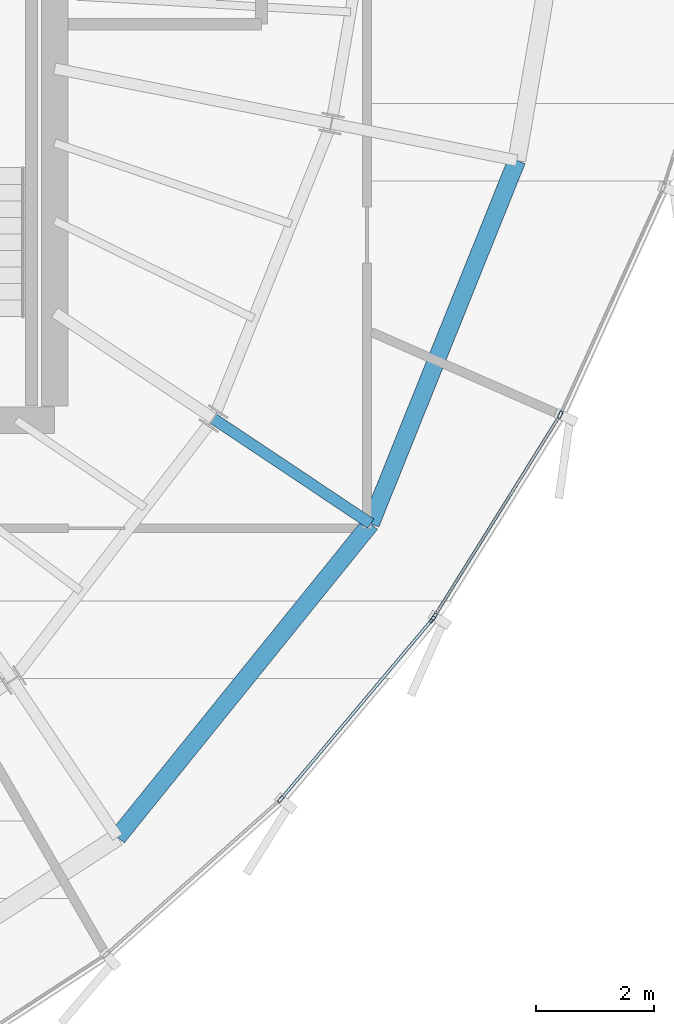
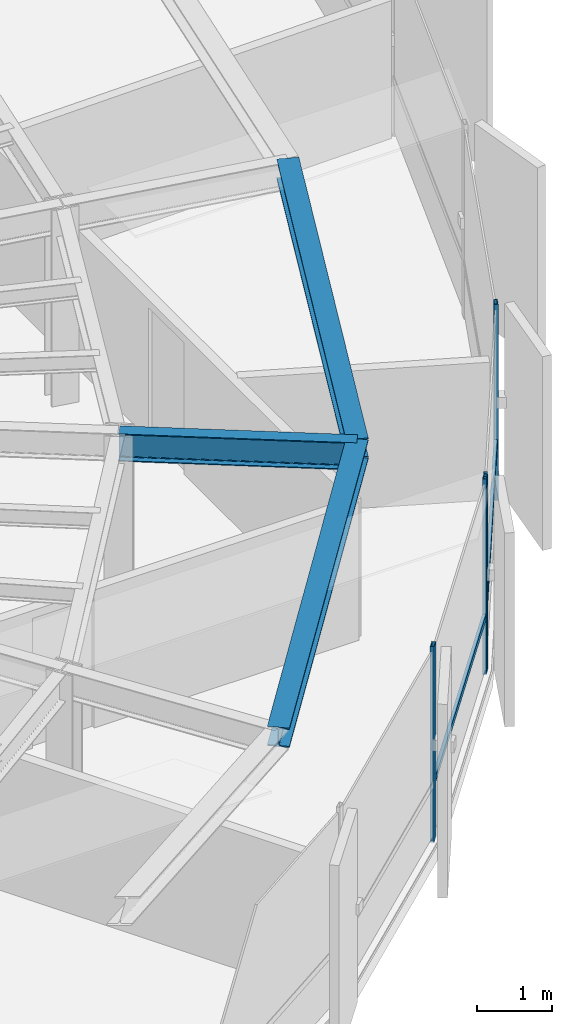
# One storey, part 13 of 32: 6 members, 3 beams, 2 elements without a shape of their own.
"""IFC4 building model written with IfcOpenShell, lengths in metres."""

from ifc_helpers import new_model, si_unit, direction, frame, origin, origin_2d, place, context, subcontext, project, spatial, hollow_rectangle, i_section, extrude, source, transform, mapped, material, layer, layer_set, material_profile, profile_set, type_object, element, aggregate, save


model = new_model("IFC4")

# Units and contexts
model_context = context("Model", 3, precision=1e-05, world=origin(), true_north=direction((0.0, 1.0)))
body_context = subcontext(model_context, "Body", "Model", "MODEL_VIEW")
ifc_project = project(units=[si_unit("LENGTHUNIT", "METRE"), si_unit("AREAUNIT", "SQUARE_METRE"), si_unit("VOLUMEUNIT", "CUBIC_METRE"), si_unit("PLANEANGLEUNIT", "RADIAN"), si_unit("MASSUNIT", "GRAM", prefix="KILO"), si_unit("THERMODYNAMICTEMPERATUREUNIT", "KELVIN")], contexts=[model_context])

# Site, building, storey
site_placement = place(None, origin())
site = spatial("IfcSite", under=ifc_project, at=site_placement, CompositionType="ELEMENT")
building_placement = place(site_placement, origin())
building = spatial("IfcBuilding", under=site, at=building_placement, Name="Kethvar Cultural Tower", CompositionType="ELEMENT")
storey_placement = place(building_placement, frame((0.0, 0.0, 252.550048828125)))
storey = spatial("IfcBuildingStorey", under=building, at=storey_placement, Name="L66", CompositionType="ELEMENT", Elevation=252.550048828125)

# Beams
ifc_material_1 = material(Name="Steel S355J2", Category="steel")
ifc_material_profile_1 = material_profile(ifc_material_1, i_section(OverallWidth=0.18994140625, OverallDepth=0.449951171875, WebThickness=0.009521484375, FlangeThickness=0.0146484375, FilletRadius=0.02099609375, at=origin_2d()), Name="Steel S355J2 — IPE450")
ifc_profile_set_1 = profile_set([ifc_material_profile_1], Name="Steel S355J2 — IPE450")
beam_type_1 = type_object("IfcBeamType", Name="BM-IPE450", PredefinedType="BEAM", material=ifc_profile_set_1)
shared_shape_1 = source(origin(), body_context, "Body", "SweptSolid", [
    extrude(i_section(OverallWidth=0.18994140625, OverallDepth=0.449951171875, WebThickness=0.009521484375, FlangeThickness=0.0146484375, FilletRadius=0.02099609375, at=origin_2d()), origin(), (0.0, 0.0, 1.0), 3.199951171875),
])
beam_1_placement = place(storey_placement, frame((58.287109375, 20.12451171875, 2.98291015625), z_axis=(0.831462943996, -0.555580212716, 0.0), x_axis=(0.555580212716, 0.831462943996, 0.0)))
element("IfcBeam", 1, at=beam_1_placement, inside=storey, type_object=beam_type_1, Name="L66 Perimeter Cantilever Beam RC-15", PredefinedType="BEAM", context=body_context, shape_type="MappedRepresentation", body=[
    mapped(shared_shape_1, transform((0.0, 0.0, 0.0), scale=1.0)),
])
ifc_material_profile_2 = material_profile(ifc_material_1, i_section(OverallWidth=0.300048828125, OverallDepth=0.320068359375, WebThickness=0.011474609375, FlangeThickness=0.0205078125, FilletRadius=0.027099609375, at=origin_2d()), Name="Steel S355J2 — HEB320")
ifc_profile_set_2 = profile_set([ifc_material_profile_2], Name="Steel S355J2 — HEB320")
beam_type_2 = type_object("IfcBeamType", Name="BM-SP320", PredefinedType="SPANDREL", material=ifc_profile_set_2)
shared_shape_2 = source(origin(), body_context, "Body", "SweptSolid", [
    extrude(i_section(OverallWidth=0.300048828125, OverallDepth=0.320068359375, WebThickness=0.011474609375, FlangeThickness=0.0205078125, FilletRadius=0.027099609375, at=origin_2d()), origin(), (0.0, 0.0, 1.0), 6.8212890625),
])
beam_2_placement = place(storey_placement, frame((56.66259765625, 13.039306640625, 3.0478515625), z_axis=(0.628197971595, 0.778053538315, 0.0), x_axis=(-0.778053538315, 0.628197971595, 0.0)))
element("IfcBeam", 2, at=beam_2_placement, inside=storey, type_object=beam_type_2, Name="L66 Perimeter Spandrel Beam SP-14", PredefinedType="SPANDREL", context=body_context, shape_type="MappedRepresentation", body=[
    mapped(shared_shape_2, transform((0.0, 0.0, 0.0), scale=1.0)),
])
shared_shape_3 = source(origin(), body_context, "Body", "SweptSolid", [
    extrude(i_section(OverallWidth=0.300048828125, OverallDepth=0.320068359375, WebThickness=0.011474609375, FlangeThickness=0.0205078125, FilletRadius=0.027099609375, at=origin_2d()), origin(), (0.0, 0.0, 1.0), 6.626220703125),
])
beam_3_placement = place(storey_placement, frame((60.94775390625, 18.3466796875, 3.0478515625), z_axis=(0.373416224197, 0.927663906545, 0.0), x_axis=(-0.927663906545, 0.373416224197, 0.0)))
element("IfcBeam", 3, at=beam_3_placement, inside=storey, type_object=beam_type_2, Name="L66 Perimeter Spandrel Beam SP-15", PredefinedType="SPANDREL", context=body_context, shape_type="MappedRepresentation", body=[
    mapped(shared_shape_3, transform((0.0, 0.0, 0.0), scale=1.0)),
])

# Curtain wall, members
ifc_material_2 = material(Name="Aluminium 6063-T6", Category="aluminium")
ifc_layer = layer(ifc_material_2, 0.179931640625, Name="Aluminium 6063-T6", Category="aluminium")
ifc_layer_set = layer_set([ifc_layer], Name="Aluminium 6063-T6 (180 mm)")
curtain_wall_type = type_object("IfcCurtainWallType", Name="CW-SYS-05-Z56", PredefinedType="NOTDEFINED", material=ifc_layer_set)
curtain_wall_1_placement = place(storey_placement, origin())
curtain_wall_1 = element("IfcCurtainWall", 4, at=curtain_wall_1_placement, inside=storey, type_object=curtain_wall_type, Name="L66 Curtain Wall Run 05", PredefinedType="NOTDEFINED")
ifc_material_profile_3 = material_profile(ifc_material_2, hollow_rectangle(XDim=0.054931640625, YDim=0.1201171875, WallThickness=0.00390625, at=origin_2d()), Name="Aluminium 6063-T6 — RHS120x55x4")
ifc_profile_set_3 = profile_set([ifc_material_profile_3], Name="Aluminium 6063-T6 — RHS120x55x4")
member_type_1 = type_object("IfcMemberType", Name="CW-SYS-05-Z56-MUL", PredefinedType="MULLION", material=ifc_profile_set_3)
shared_shape_4 = source(origin(), body_context, "Body", "SweptSolid", [
    extrude(hollow_rectangle(XDim=0.054931640625, YDim=0.1201171875, WallThickness=0.00390625, at=origin_2d()), origin(), (0.0, 0.0, 1.0), 3.2099609375),
])
member_1_placement = place(storey_placement, frame((59.428955078125, 13.6845703125, 0.0), z_axis=(0.0, 0.0, 1.0), x_axis=(-0.764898916296, 0.644150330163, 0.0)))
member_1 = element("IfcMember", 5, at=member_1_placement, type_object=member_type_1, Name="CW-L66-R05 Mullion 6", PredefinedType="MULLION", context=body_context, shape_type="MappedRepresentation", body=[
    mapped(shared_shape_4, transform((0.0, 0.0, 0.0), scale=1.0)),
])
member_2_placement = place(storey_placement, frame((61.99169921875, 16.7275390625, 0.0), z_axis=(0.0, 0.0, 1.0), x_axis=(-0.764898916296, 0.644150330163, 0.0)))
member_2 = element("IfcMember", 6, at=member_2_placement, type_object=member_type_1, Name="CW-L66-R05 Mullion 7", PredefinedType="MULLION", context=body_context, shape_type="MappedRepresentation", body=[
    mapped(shared_shape_4, transform((0.0, 0.0, 0.0), scale=1.0)),
])

curtain_wall_2_placement = place(storey_placement, origin())
curtain_wall_2 = element("IfcCurtainWall", 7, at=curtain_wall_2_placement, inside=storey, type_object=curtain_wall_type, Name="L66 Curtain Wall Run 06", PredefinedType="NOTDEFINED")
member_3_placement = place(storey_placement, frame((62.025146484375, 16.773681640625, 0.0), z_axis=(0.0, 0.0, 1.0), x_axis=(-0.848436319383, 0.529297470191, 0.0)))
member_3 = element("IfcMember", 8, at=member_3_placement, type_object=member_type_1, Name="CW-L66-R06 Mullion 1", PredefinedType="MULLION", context=body_context, shape_type="MappedRepresentation", body=[
    mapped(shared_shape_4, transform((0.0, 0.0, 0.0), scale=1.0)),
])
member_4_placement = place(storey_placement, frame((64.156494140625, 20.188232421875, 0.0), z_axis=(0.0, 0.0, 1.0), x_axis=(-0.910762954379, 0.412929583501, 0.0)))
member_4 = element("IfcMember", 9, at=member_4_placement, type_object=member_type_1, Name="CW-L66-R06 Mullion 2", PredefinedType="MULLION", context=body_context, shape_type="MappedRepresentation", body=[
    mapped(shared_shape_4, transform((0.0, 0.0, 0.0), scale=1.0)),
])

# Member
ifc_material_profile_4 = material_profile(ifc_material_2, hollow_rectangle(XDim=0.050048828125, YDim=0.10009765625, WallThickness=0.00390625, at=origin_2d()), Name="Aluminium 6063-T6 — RHS100x50x4")
ifc_profile_set_4 = profile_set([ifc_material_profile_4], Name="Aluminium 6063-T6 — RHS100x50x4")
member_type_2 = type_object("IfcMemberType", Name="CW-SYS-05-Z56-TRN", PredefinedType="USERDEFINED", material=ifc_profile_set_4)
shared_shape_5 = source(origin(), body_context, "Body", "SweptSolid", [
    extrude(hollow_rectangle(XDim=0.050048828125, YDim=0.10009765625, WallThickness=0.00390625, at=origin_2d()), origin(), (0.0, 0.0, 1.0), 3.934814453125),
])
member_5_placement = place(storey_placement, frame((59.45458984375, 13.71484375, 0.949951171875), z_axis=(0.644118549219, 0.764925679103, 0.0), x_axis=(-0.764925679103, 0.644118549219, 0.0)))
member_5 = element("IfcMember", 10, at=member_5_placement, type_object=member_type_2, Name="CW-L66-R05 Transom 6", ObjectType="TRANSOM", PredefinedType="USERDEFINED", context=body_context, shape_type="MappedRepresentation", body=[
    mapped(shared_shape_5, transform((0.0, 0.0, 0.0), scale=1.0)),
])

aggregate(curtain_wall_1, [member_1, member_2, member_5])

shared_shape_6 = source(origin(), body_context, "Body", "SweptSolid", [
    extrude(hollow_rectangle(XDim=0.050048828125, YDim=0.10009765625, WallThickness=0.00390625, at=origin_2d()), origin(), (0.0, 0.0, 1.0), 3.994873046875),
])
member_6_placement = place(storey_placement, frame((62.027099609375, 16.77685546875, 0.949951171875), z_axis=(0.529301109246, 0.848434049147, 0.0), x_axis=(-0.848434049147, 0.529301109246, 0.0)))
member_6 = element("IfcMember", 11, at=member_6_placement, type_object=member_type_2, Name="CW-L66-R06 Transom 1", ObjectType="TRANSOM", PredefinedType="USERDEFINED", context=body_context, shape_type="MappedRepresentation", body=[
    mapped(shared_shape_6, transform((0.0, 0.0, 0.0), scale=1.0)),
])

aggregate(curtain_wall_2, [member_3, member_4, member_6])

save(model, "model.ifc")
